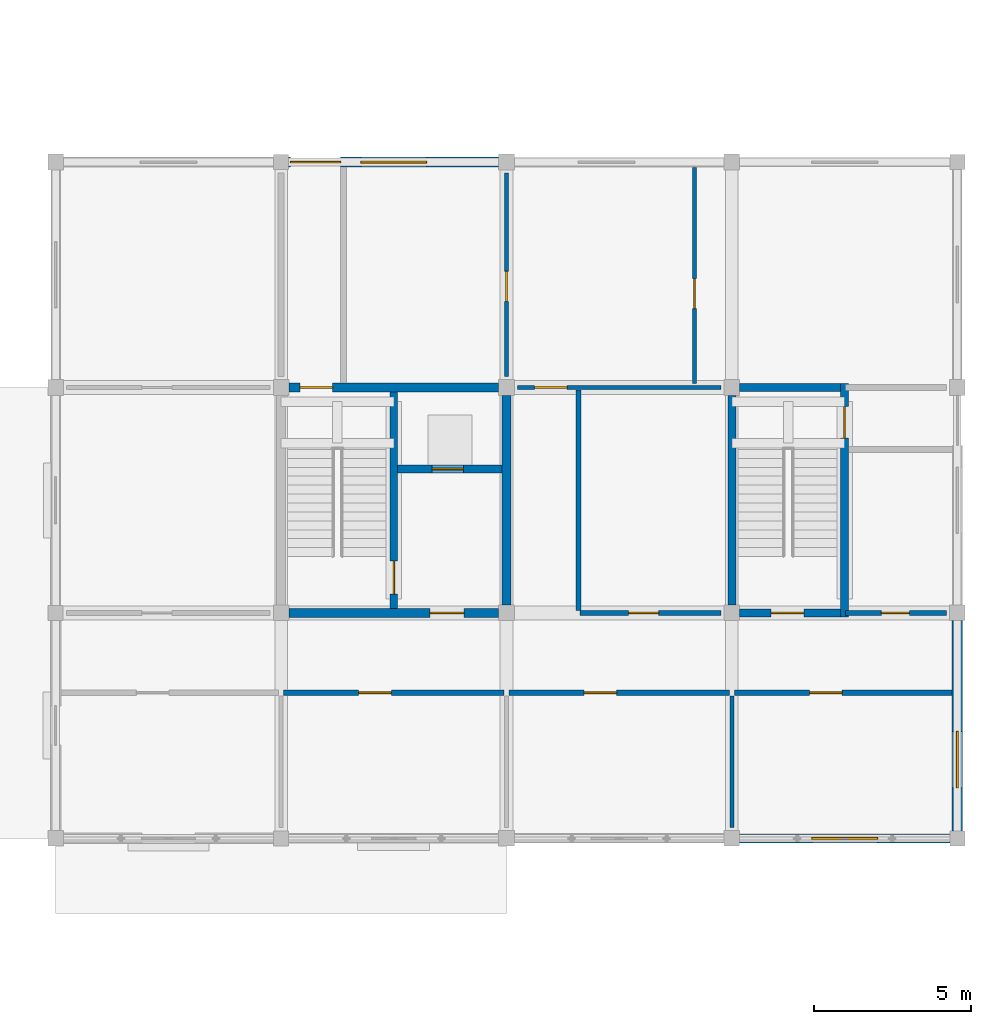
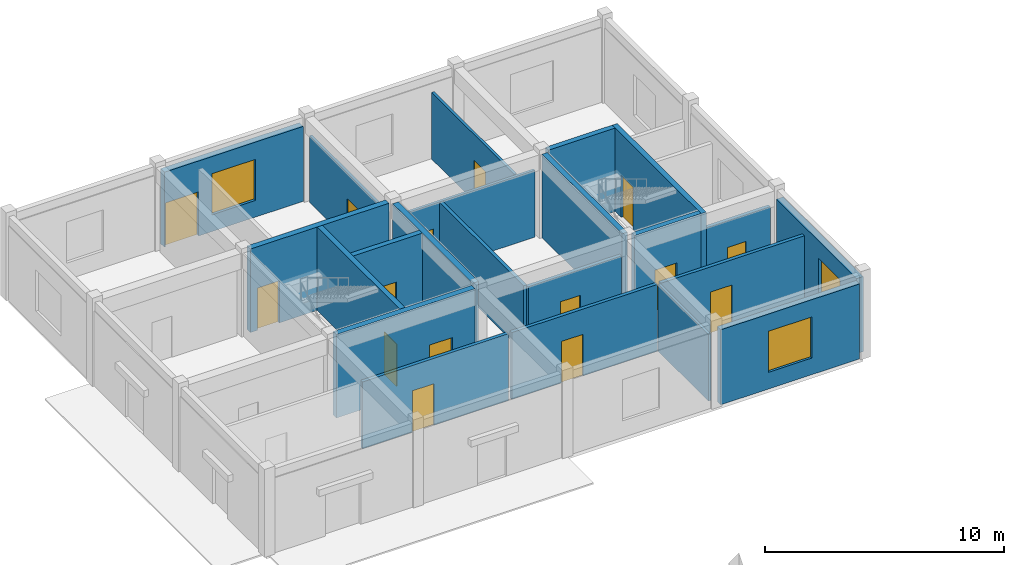
# One storey, part 103 of 138: 22 walls, 15 doors, 3 windows, 18 openings.
"""IFC4 building model written with IfcOpenShell, lengths in metres."""

from ifc_helpers import new_model, si_unit, direction, frame, frame_2d, origin, place, context, subcontext, project, spatial, rectangle, extrude, material, layer, layer_set, type_object, element, fill, save


model = new_model("IFC4")

# Units and contexts
model_context = context("Model", 3, precision=1e-05, world=origin(), true_north=direction((0.0, 1.0)))
body_context = subcontext(model_context, "Body", "Model", "MODEL_VIEW")
ifc_project = project(units=[si_unit("LENGTHUNIT", "METRE"), si_unit("AREAUNIT", "SQUARE_METRE"), si_unit("VOLUMEUNIT", "CUBIC_METRE"), si_unit("PLANEANGLEUNIT", "RADIAN"), si_unit("MASSUNIT", "GRAM", prefix="KILO"), si_unit("THERMODYNAMICTEMPERATUREUNIT", "KELVIN"), si_unit("POWERUNIT", "WATT")], contexts=[model_context])

# Site, building, storey
site_placement = place(None, origin())
site = spatial("IfcSite", under=ifc_project, at=site_placement, CompositionType="ELEMENT")
building_placement = place(site_placement, origin())
building = spatial("IfcBuilding", under=site, at=building_placement, Name="Tavuni Mirador Residences", CompositionType="ELEMENT")
storey_placement = place(building_placement, origin())
storey = spatial("IfcBuildingStorey", under=building, at=storey_placement, Name="L00", CompositionType="ELEMENT", Elevation=0.0)

# Wall, opening, door
ifc_material_1 = material(Name="Precast concrete C40/50", Category="concrete")
ifc_layer_1 = layer(ifc_material_1, 0.25, Name="Precast concrete C40/50", Category="concrete")
ifc_layer_set_1 = layer_set([ifc_layer_1], Name="Precast concrete C40/50")
wall_type_1 = type_object("IfcWallType", Name="WT-COR250", PredefinedType="SHEAR", material=ifc_layer_set_1)
wall_1_placement = place(storey_placement, frame((100.800048828125, 50.5400390625, 0.0), z_axis=(0.0, 0.0, 1.0), x_axis=(0.0, 1.0, 0.0)))
wall_1 = element("IfcWall", 1, at=wall_1_placement, inside=storey, type_object=wall_type_1, Name="CWALL-CN1-L00-MID", PredefinedType="SHEAR", context=body_context, shape_type="SweptSolid", body=[
    extrude(rectangle(XDim=6.919921875, YDim=0.25, at=frame_2d((3.4599609375, 0.0))), origin(), (0.0, 0.0, 1.0), 4.260009765625),
])
opening_1_placement = place(wall_1_placement, frame((0.4599609375, 0.0, 0.0)))
opening_1 = element("IfcOpeningElement", 2, at=opening_1_placement, cuts=wall_1, Name="Opening D-01", PredefinedType="OPENING", context=body_context, shape_type="SweptSolid", body=[
    extrude(rectangle(XDim=1.050048828125, YDim=2.14990234375, at=frame_2d((0.52490234375, 1.074951171875))), frame((0.0, 0.135009765625, 0.0), z_axis=(0.0, -1.0, 0.0), x_axis=(1.0, 0.0, 0.0)), (0.0, 0.0, 1.0), 0.27001953125),
])
ifc_material_2 = material(Name="Solid core iroko timber", Category="wood")
door_type_1 = type_object("IfcDoorType", Name="DT-ST1050", OperationType="NOTDEFINED", PredefinedType="DOOR", material=ifc_material_2)
door_1_placement = place(opening_1_placement, frame((1.050048828125, 0.0, 0.0), z_axis=(0.0, 0.0, 1.0), x_axis=(-1.0, 0.0, 0.0)))
door_1 = element("IfcDoor", 3, at=door_1_placement, inside=storey, type_object=door_type_1, Name="DR-2366", OperationType="SINGLE_SWING_RIGHT", OverallHeight=2.14990234375, OverallWidth=1.050048828125, PredefinedType="DOOR", context=body_context, shape_type="SweptSolid", body=[
    extrude(rectangle(XDim=1.050048828125, YDim=2.14990234375, at=frame_2d((0.52490234375, 1.074951171875))), frame((0.0, 0.02490234375, 0.0), z_axis=(0.0, -1.0, 0.0), x_axis=(1.0, 0.0, 0.0)), (0.0, 0.0, 1.0), 0.050048828125),
])
fill(opening_1, door_1)

wall_2_placement = place(storey_placement, frame((100.925048828125, 55.0, 0.0), z_axis=(0.0, 0.0, 1.0), x_axis=(1.0, 0.0, 0.0)))
wall_2 = element("IfcWall", 4, at=wall_2_placement, inside=storey, type_object=wall_type_1, Name="CWALL-CN1-L00-SHF", PredefinedType="SHEAR", context=body_context, shape_type="SweptSolid", body=[
    extrude(rectangle(XDim=3.3349609375, YDim=0.25, at=frame_2d((1.66748046875, 0.0))), origin(), (0.0, 0.0, 1.0), 4.260009765625),
])
opening_2_placement = place(wall_2_placement, frame((1.10009765625, 0.0, 0.0)))
opening_2 = element("IfcOpeningElement", 5, at=opening_2_placement, cuts=wall_2, Name="Opening LD-02", PredefinedType="OPENING", context=body_context, shape_type="SweptSolid", body=[
    extrude(rectangle(XDim=1.0, YDim=2.199951171875, at=frame_2d((0.5, 1.10009765625))), frame((0.0, 0.135009765625, 0.0), z_axis=(0.0, -1.0, 0.0), x_axis=(1.0, 0.0, 0.0)), (0.0, 0.0, 1.0), 0.27001953125),
])
ifc_material_3 = material(Name="Structural steel S355", Category="steel")
door_type_2 = type_object("IfcDoorType", Name="DT-LD-PAX", OperationType="SLIDING_TO_LEFT", PredefinedType="DOOR", material=ifc_material_3)
door_2_placement = place(opening_2_placement, origin())
door_2 = element("IfcDoor", 6, at=door_2_placement, inside=storey, type_object=door_type_2, Name="Lift landing door PL-N1 L00", OperationType="SLIDING_TO_LEFT", OverallHeight=2.199951171875, OverallWidth=1.0, PredefinedType="DOOR", context=body_context, shape_type="SweptSolid", body=[
    extrude(rectangle(XDim=1.0, YDim=2.199951171875, at=frame_2d((0.5, 1.10009765625))), frame((0.0, 0.02490234375, 0.0), z_axis=(0.0, -1.0, 0.0), x_axis=(1.0, 0.0, 0.0)), (0.0, 0.0, 1.0), 0.050048828125),
])
fill(opening_2, door_2)

# Wall
wall_3_placement = place(storey_placement, frame((111.60009765625, 50.64990234375, 0.0), z_axis=(0.0, 0.0, 1.0), x_axis=(0.0, 1.0, 0.0)))
element("IfcWall", 7, at=wall_3_placement, inside=storey, type_object=wall_type_1, Name="CWALL-CN2-L00-W", PredefinedType="SHEAR", context=body_context, shape_type="SweptSolid", body=[
    extrude(rectangle(XDim=6.7001953125, YDim=0.25, at=frame_2d((3.35009765625, 0.0))), origin(), (0.0, 0.0, 1.0), 4.260009765625),
])

# Wall, opening, door
wall_4_placement = place(storey_placement, frame((115.199951171875, 50.27490234375, 0.0), z_axis=(0.0, 0.0, 1.0), x_axis=(0.0, 1.0, 0.0)))
wall_4 = element("IfcWall", 8, at=wall_4_placement, inside=storey, type_object=wall_type_1, Name="CWALL-CN2-L00-E", PredefinedType="SHEAR", context=body_context, shape_type="SweptSolid", body=[
    extrude(rectangle(XDim=7.4501953125, YDim=0.25, at=frame_2d((3.72509765625, 0.0))), origin(), (0.0, 0.0, 1.0), 4.260009765625),
])
opening_3_placement = place(wall_4_placement, frame((5.7099609375, 0.0, 0.0)))
opening_3 = element("IfcOpeningElement", 9, at=opening_3_placement, cuts=wall_4, Name="Opening D-03", PredefinedType="OPENING", context=body_context, shape_type="SweptSolid", body=[
    extrude(rectangle(XDim=1.0, YDim=2.14990234375, at=frame_2d((0.5, 1.074951171875))), frame((0.0, 0.135009765625, 0.0), z_axis=(0.0, -1.0, 0.0), x_axis=(1.0, 0.0, 0.0)), (0.0, 0.0, 1.0), 0.27001953125),
])
door_type_3 = type_object("IfcDoorType", Name="DT-FD60-1000", OperationType="NOTDEFINED", PredefinedType="DOOR", material=ifc_material_2)
door_3_placement = place(opening_3_placement, frame((1.0, 0.0, 0.0), z_axis=(0.0, 0.0, 1.0), x_axis=(-1.0, 0.0, 0.0)))
door_3 = element("IfcDoor", 10, at=door_3_placement, inside=storey, type_object=door_type_3, Name="DR-4841", OperationType="SINGLE_SWING_LEFT", OverallHeight=2.14990234375, OverallWidth=1.0, PredefinedType="DOOR", context=body_context, shape_type="SweptSolid", body=[
    extrude(rectangle(XDim=1.0, YDim=2.14990234375, at=frame_2d((0.5, 1.074951171875))), frame((0.0, 0.02490234375, 0.0), z_axis=(0.0, -1.0, 0.0), x_axis=(1.0, 0.0, 0.0)), (0.0, 0.0, 1.0), 0.050048828125),
])
fill(opening_3, door_3)

# Wall
wall_5_placement = place(storey_placement, frame((111.85009765625, 57.60009765625, 0.0), z_axis=(0.0, 0.0, 1.0), x_axis=(1.0, 0.0, 0.0)))
element("IfcWall", 11, at=wall_5_placement, inside=storey, type_object=wall_type_1, Name="CWALL-CN2-L00-N", PredefinedType="SHEAR", context=body_context, shape_type="SweptSolid", body=[
    extrude(rectangle(XDim=3.224853515625, YDim=0.25, at=frame_2d((1.6123046875, 0.0))), origin(), (0.0, 0.0, 1.0), 4.260009765625),
])

# Wall, opening, door
wall_6_placement = place(storey_placement, frame((111.85009765625, 50.39990234375, 0.0), z_axis=(0.0, 0.0, 1.0), x_axis=(1.0, 0.0, 0.0)))
wall_6 = element("IfcWall", 12, at=wall_6_placement, inside=storey, type_object=wall_type_1, Name="CWALL-CN2-L00-SS", PredefinedType="SHEAR", context=body_context, shape_type="SweptSolid", body=[
    extrude(rectangle(XDim=3.224853515625, YDim=0.25, at=frame_2d((1.6123046875, 0.0))), origin(), (0.0, 0.0, 1.0), 4.260009765625),
])
opening_4_placement = place(wall_6_placement, frame((1.0, 0.0, 0.0)))
opening_4 = element("IfcOpeningElement", 13, at=opening_4_placement, cuts=wall_6, Name="Opening D-01", PredefinedType="OPENING", context=body_context, shape_type="SweptSolid", body=[
    extrude(rectangle(XDim=1.050048828125, YDim=2.14990234375, at=frame_2d((0.52490234375, 1.074951171875))), frame((0.0, 0.135009765625, 0.0), z_axis=(0.0, -1.0, 0.0), x_axis=(1.0, 0.0, 0.0)), (0.0, 0.0, 1.0), 0.27001953125),
])
door_4_placement = place(opening_4_placement, frame((1.050048828125, 0.0, 0.0), z_axis=(0.0, 0.0, 1.0), x_axis=(-1.0, 0.0, 0.0)))
door_4 = element("IfcDoor", 14, at=door_4_placement, inside=storey, type_object=door_type_1, Name="DR-2371", OperationType="SINGLE_SWING_RIGHT", OverallHeight=2.14990234375, OverallWidth=1.050048828125, PredefinedType="DOOR", context=body_context, shape_type="SweptSolid", body=[
    extrude(rectangle(XDim=1.050048828125, YDim=2.14990234375, at=frame_2d((0.52490234375, 1.074951171875))), frame((0.0, 0.02490234375, 0.0), z_axis=(0.0, -1.0, 0.0), x_axis=(1.0, 0.0, 0.0)), (0.0, 0.0, 1.0), 0.050048828125),
])
fill(opening_4, door_4)

ifc_layer_2 = layer(ifc_material_1, 0.280029296875, Name="Precast concrete C40/50", Category="concrete")
ifc_layer_set_2 = layer_set([ifc_layer_2], Name="Precast concrete C40/50")
wall_type_2 = type_object("IfcWallType", Name="WT-COR280", PredefinedType="SHEAR", material=ifc_layer_set_2)
wall_7_placement = place(storey_placement, frame((97.449951171875, 57.60009765625, 0.0), z_axis=(0.0, 0.0, 1.0), x_axis=(1.0, 0.0, 0.0)))
wall_7 = element("IfcWall", 15, at=wall_7_placement, inside=storey, type_object=wall_type_2, Name="CWALL-CN1-L00-N", PredefinedType="SHEAR", context=body_context, shape_type="SweptSolid", body=[
    extrude(rectangle(XDim=6.699951171875, YDim=0.280029296875, at=frame_2d((3.35009765625, 0.0))), origin(), (0.0, 0.0, 1.0), 4.260009765625),
])
opening_5_placement = place(wall_7_placement, frame((0.35009765625, 0.0, 0.0)))
opening_5 = element("IfcOpeningElement", 16, at=opening_5_placement, cuts=wall_7, Name="Opening D-01", PredefinedType="OPENING", context=body_context, shape_type="SweptSolid", body=[
    extrude(rectangle(XDim=1.050048828125, YDim=2.14990234375, at=frame_2d((0.52490234375, 1.074951171875))), frame((0.0, 0.14990234375, 0.0), z_axis=(0.0, -1.0, 0.0), x_axis=(1.0, 0.0, 0.0)), (0.0, 0.0, 1.0), 0.300048828125),
])
door_5_placement = place(opening_5_placement, origin())
door_5 = element("IfcDoor", 17, at=door_5_placement, inside=storey, type_object=door_type_1, Name="DR-4840", OperationType="SINGLE_SWING_LEFT", OverallHeight=2.14990234375, OverallWidth=1.050048828125, PredefinedType="DOOR", context=body_context, shape_type="SweptSolid", body=[
    extrude(rectangle(XDim=1.050048828125, YDim=2.14990234375, at=frame_2d((0.52490234375, 1.074951171875))), frame((0.0, 0.02490234375, 0.0), z_axis=(0.0, -1.0, 0.0), x_axis=(1.0, 0.0, 0.0)), (0.0, 0.0, 1.0), 0.050048828125),
])
fill(opening_5, door_5)

# Wall
wall_8_placement = place(storey_placement, frame((104.39990234375, 50.64990234375, 0.0), z_axis=(0.0, 0.0, 1.0), x_axis=(0.0, 1.0, 0.0)))
element("IfcWall", 18, at=wall_8_placement, inside=storey, type_object=wall_type_2, Name="CWALL-CN1-L00-E", PredefinedType="SHEAR", context=body_context, shape_type="SweptSolid", body=[
    extrude(rectangle(XDim=6.7001953125, YDim=0.280029296875, at=frame_2d((3.35009765625, 0.0))), origin(), (0.0, 0.0, 1.0), 4.260009765625),
])

# Wall, opening, door
wall_9_placement = place(storey_placement, frame((97.449951171875, 50.39990234375, 0.0), z_axis=(0.0, 0.0, 1.0), x_axis=(1.0, 0.0, 0.0)))
wall_9 = element("IfcWall", 19, at=wall_9_placement, inside=storey, type_object=wall_type_2, Name="CWALL-CN1-L00-SS", PredefinedType="SHEAR", context=body_context, shape_type="SweptSolid", body=[
    extrude(rectangle(XDim=6.699951171875, YDim=0.280029296875, at=frame_2d((3.35009765625, 0.0))), origin(), (0.0, 0.0, 1.0), 4.260009765625),
])
opening_6_placement = place(wall_9_placement, frame((4.5, 0.0, 0.0)))
opening_6 = element("IfcOpeningElement", 20, at=opening_6_placement, cuts=wall_9, Name="Opening D-02", PredefinedType="OPENING", context=body_context, shape_type="SweptSolid", body=[
    extrude(rectangle(XDim=1.10009765625, YDim=2.14990234375, at=frame_2d((0.550048828125, 1.074951171875))), frame((0.0, 0.14990234375, 0.0), z_axis=(0.0, -1.0, 0.0), x_axis=(1.0, 0.0, 0.0)), (0.0, 0.0, 1.0), 0.300048828125),
])
door_type_4 = type_object("IfcDoorType", Name="DT-LOB1100", OperationType="NOTDEFINED", PredefinedType="DOOR", material=ifc_material_2)
door_6_placement = place(opening_6_placement, frame((1.10009765625, 0.0, 0.0), z_axis=(0.0, 0.0, 1.0), x_axis=(-1.0, 0.0, 0.0)))
door_6 = element("IfcDoor", 21, at=door_6_placement, inside=storey, type_object=door_type_4, Name="DR-2365", OperationType="SINGLE_SWING_LEFT", OverallHeight=2.14990234375, OverallWidth=1.10009765625, PredefinedType="DOOR", context=body_context, shape_type="SweptSolid", body=[
    extrude(rectangle(XDim=1.10009765625, YDim=2.14990234375, at=frame_2d((0.550048828125, 1.074951171875))), frame((0.0, 0.02490234375, 0.0), z_axis=(0.0, -1.0, 0.0), x_axis=(1.0, 0.0, 0.0)), (0.0, 0.0, 1.0), 0.050048828125),
])
fill(opening_6, door_6)

ifc_layer_3 = layer(ifc_material_1, 0.1650390625, Name="Precast concrete C40/50", Category="concrete")
ifc_layer_set_3 = layer_set([ifc_layer_3], Name="Precast concrete C40/50")
wall_type_3 = type_object("IfcWallType", Name="WT-CORR165", PredefinedType="PARTITIONING", material=ifc_layer_set_3)
wall_10_placement = place(storey_placement, frame((97.280029296875, 47.85009765625, 0.0), z_axis=(0.0, 0.0, 1.0), x_axis=(1.0, 0.0, 0.0)))
wall_10 = element("IfcWall", 22, at=wall_10_placement, inside=storey, type_object=wall_type_3, Name="PW-NURS-L00-CS2", PredefinedType="PARTITIONING", context=body_context, shape_type="SweptSolid", body=[
    extrude(rectangle(XDim=7.0400390625, YDim=0.1650390625, at=frame_2d((3.52001953125, 0.0))), origin(), (0.0, 0.0, 1.0), 3.409912109375),
])
opening_7_placement = place(wall_10_placement, frame((2.39990234375, 0.0, 0.0)))
opening_7 = element("IfcOpeningElement", 23, at=opening_7_placement, cuts=wall_10, Name="Opening D-15", PredefinedType="OPENING", context=body_context, shape_type="SweptSolid", body=[
    extrude(rectangle(XDim=1.0400390625, YDim=2.1201171875, at=frame_2d((0.52001953125, 1.06005859375))), frame((0.0, 0.092529296875, 0.0), z_axis=(0.0, -1.0, 0.0), x_axis=(1.0, 0.0, 0.0)), (0.0, 0.0, 1.0), 0.18505859375),
])
door_type_5 = type_object("IfcDoorType", Name="DT-NUR1040", OperationType="NOTDEFINED", PredefinedType="DOOR", material=ifc_material_2)
door_7_placement = place(opening_7_placement, origin())
door_7 = element("IfcDoor", 24, at=door_7_placement, inside=storey, type_object=door_type_5, Name="DR-4793", OperationType="SINGLE_SWING_RIGHT", OverallHeight=2.1201171875, OverallWidth=1.0400390625, PredefinedType="DOOR", context=body_context, shape_type="SweptSolid", body=[
    extrude(rectangle(XDim=1.0400390625, YDim=2.1201171875, at=frame_2d((0.52001953125, 1.06005859375))), frame((0.0, 0.02490234375, 0.0), z_axis=(0.0, -1.0, 0.0), x_axis=(1.0, 0.0, 0.0)), (0.0, 0.0, 1.0), 0.050048828125),
])
fill(opening_7, door_7)

wall_11_placement = place(storey_placement, frame((104.47998046875, 47.85009765625, 0.0), z_axis=(0.0, 0.0, 1.0), x_axis=(1.0, 0.0, 0.0)))
wall_11 = element("IfcWall", 25, at=wall_11_placement, inside=storey, type_object=wall_type_3, Name="PW-NURS-L00-CS3", PredefinedType="PARTITIONING", context=body_context, shape_type="SweptSolid", body=[
    extrude(rectangle(XDim=7.0400390625, YDim=0.1650390625, at=frame_2d((3.52001953125, 0.0))), origin(), (0.0, 0.0, 1.0), 3.409912109375),
])
opening_8_placement = place(wall_11_placement, frame((2.39990234375, 0.0, 0.0)))
opening_8 = element("IfcOpeningElement", 26, at=opening_8_placement, cuts=wall_11, Name="Opening D-15", PredefinedType="OPENING", context=body_context, shape_type="SweptSolid", body=[
    extrude(rectangle(XDim=1.0400390625, YDim=2.1201171875, at=frame_2d((0.52001953125, 1.06005859375))), frame((0.0, 0.092529296875, 0.0), z_axis=(0.0, -1.0, 0.0), x_axis=(1.0, 0.0, 0.0)), (0.0, 0.0, 1.0), 0.18505859375),
])
door_8_placement = place(opening_8_placement, origin())
door_8 = element("IfcDoor", 27, at=door_8_placement, inside=storey, type_object=door_type_5, Name="DR-4794", OperationType="SINGLE_SWING_LEFT", OverallHeight=2.1201171875, OverallWidth=1.0400390625, PredefinedType="DOOR", context=body_context, shape_type="SweptSolid", body=[
    extrude(rectangle(XDim=1.0400390625, YDim=2.1201171875, at=frame_2d((0.52001953125, 1.06005859375))), frame((0.0, 0.02490234375, 0.0), z_axis=(0.0, -1.0, 0.0), x_axis=(1.0, 0.0, 0.0)), (0.0, 0.0, 1.0), 0.050048828125),
])
fill(opening_8, door_8)

wall_12_placement = place(storey_placement, frame((111.679931640625, 47.85009765625, 0.0), z_axis=(0.0, 0.0, 1.0), x_axis=(1.0, 0.0, 0.0)))
wall_12 = element("IfcWall", 28, at=wall_12_placement, inside=storey, type_object=wall_type_3, Name="PW-NURS-L00-CS4", PredefinedType="PARTITIONING", context=body_context, shape_type="SweptSolid", body=[
    extrude(rectangle(XDim=6.945068359375, YDim=0.1650390625, at=frame_2d((3.47265625, 0.0))), origin(), (0.0, 0.0, 1.0), 3.409912109375),
])
opening_9_placement = place(wall_12_placement, frame((2.39990234375, 0.0, 0.0)))
opening_9 = element("IfcOpeningElement", 29, at=opening_9_placement, cuts=wall_12, Name="Opening D-15", PredefinedType="OPENING", context=body_context, shape_type="SweptSolid", body=[
    extrude(rectangle(XDim=1.0400390625, YDim=2.1201171875, at=frame_2d((0.52001953125, 1.06005859375))), frame((0.0, 0.092529296875, 0.0), z_axis=(0.0, -1.0, 0.0), x_axis=(1.0, 0.0, 0.0)), (0.0, 0.0, 1.0), 0.18505859375),
])
door_9_placement = place(opening_9_placement, origin())
door_9 = element("IfcDoor", 30, at=door_9_placement, inside=storey, type_object=door_type_5, Name="DR-4795", OperationType="SINGLE_SWING_RIGHT", OverallHeight=2.1201171875, OverallWidth=1.0400390625, PredefinedType="DOOR", context=body_context, shape_type="SweptSolid", body=[
    extrude(rectangle(XDim=1.0400390625, YDim=2.1201171875, at=frame_2d((0.52001953125, 1.06005859375))), frame((0.0, 0.02490234375, 0.0), z_axis=(0.0, -1.0, 0.0), x_axis=(1.0, 0.0, 0.0)), (0.0, 0.0, 1.0), 0.050048828125),
])
fill(opening_9, door_9)

wall_13_placement = place(storey_placement, frame((106.75, 50.39990234375, 0.0), z_axis=(0.0, 0.0, 1.0), x_axis=(1.0, 0.0, 0.0)))
wall_13 = element("IfcWall", 31, at=wall_13_placement, inside=storey, type_object=wall_type_3, Name="PW-NURS-L00-CN2", PredefinedType="PARTITIONING", context=body_context, shape_type="SweptSolid", body=[
    extrude(rectangle(XDim=4.5, YDim=0.1650390625, at=frame_2d((2.25, 0.0))), origin(), (0.0, 0.0, 1.0), 3.409912109375),
])
opening_10_placement = place(wall_13_placement, frame((1.550048828125, 0.0, 0.0)))
opening_10 = element("IfcOpeningElement", 32, at=opening_10_placement, cuts=wall_13, Name="Opening D-16", PredefinedType="OPENING", context=body_context, shape_type="SweptSolid", body=[
    extrude(rectangle(XDim=0.9599609375, YDim=2.10009765625, at=frame_2d((0.47998046875, 1.050048828125))), frame((0.0, 0.092529296875, 0.0), z_axis=(0.0, -1.0, 0.0), x_axis=(1.0, 0.0, 0.0)), (0.0, 0.0, 1.0), 0.18505859375),
])
door_type_6 = type_object("IfcDoorType", Name="DT-NUR960", OperationType="NOTDEFINED", PredefinedType="DOOR", material=ifc_material_2)
door_10_placement = place(opening_10_placement, origin())
door_10 = element("IfcDoor", 33, at=door_10_placement, inside=storey, type_object=door_type_6, Name="DR-4797", OperationType="SINGLE_SWING_RIGHT", OverallHeight=2.10009765625, OverallWidth=0.9599609375, PredefinedType="DOOR", context=body_context, shape_type="SweptSolid", body=[
    extrude(rectangle(XDim=0.9599609375, YDim=2.10009765625, at=frame_2d((0.47998046875, 1.050048828125))), frame((0.0, 0.02490234375, 0.0), z_axis=(0.0, -1.0, 0.0), x_axis=(1.0, 0.0, 0.0)), (0.0, 0.0, 1.0), 0.050048828125),
])
fill(opening_10, door_10)

wall_14_placement = place(storey_placement, frame((115.219970703125, 50.39990234375, 0.0), z_axis=(0.0, 0.0, 1.0), x_axis=(1.0, 0.0, 0.0)))
wall_14 = element("IfcWall", 34, at=wall_14_placement, inside=storey, type_object=wall_type_3, Name="PW-NURS-L00-CN3", PredefinedType="PARTITIONING", context=body_context, shape_type="SweptSolid", body=[
    extrude(rectangle(XDim=3.22998046875, YDim=0.1650390625, at=frame_2d((1.614990234375, 0.0))), origin(), (0.0, 0.0, 1.0), 3.409912109375),
])
opening_11_placement = place(wall_14_placement, frame((1.14990234375, 0.0, 0.0)))
opening_11 = element("IfcOpeningElement", 35, at=opening_11_placement, cuts=wall_14, Name="Opening D-09", PredefinedType="OPENING", context=body_context, shape_type="SweptSolid", body=[
    extrude(rectangle(XDim=0.89990234375, YDim=2.050048828125, at=frame_2d((0.449951171875, 1.02490234375))), frame((0.0, 0.092529296875, 0.0), z_axis=(0.0, -1.0, 0.0), x_axis=(1.0, 0.0, 0.0)), (0.0, 0.0, 1.0), 0.18505859375),
])
door_type_7 = type_object("IfcDoorType", Name="DT-WC900", OperationType="NOTDEFINED", PredefinedType="DOOR", material=ifc_material_2)
door_11_placement = place(opening_11_placement, origin())
door_11 = element("IfcDoor", 36, at=door_11_placement, inside=storey, type_object=door_type_7, Name="DR-4798", OperationType="SINGLE_SWING_LEFT", OverallHeight=2.050048828125, OverallWidth=0.89990234375, PredefinedType="DOOR", context=body_context, shape_type="SweptSolid", body=[
    extrude(rectangle(XDim=0.89990234375, YDim=2.050048828125, at=frame_2d((0.449951171875, 1.02490234375))), frame((0.0, 0.02490234375, 0.0), z_axis=(0.0, -1.0, 0.0), x_axis=(1.0, 0.0, 0.0)), (0.0, 0.0, 1.0), 0.050048828125),
])
fill(opening_11, door_11)

# Wall
wall_15_placement = place(storey_placement, frame((106.699951171875, 50.47998046875, 0.0), z_axis=(0.0, 0.0, 1.0), x_axis=(0.0, 1.0, 0.0)))
element("IfcWall", 37, at=wall_15_placement, inside=storey, type_object=wall_type_3, Name="PW-NURS-L00-NCW", PredefinedType="PARTITIONING", context=body_context, shape_type="SweptSolid", body=[
    extrude(rectangle(XDim=7.0400390625, YDim=0.1650390625, at=frame_2d((3.52001953125, 0.0))), origin(), (0.0, 0.0, 1.0), 3.409912109375),
])

# Wall, opening, window
ifc_layer_4 = layer(ifc_material_1, 0.330078125, Name="Precast concrete C40/50", Category="concrete")
ifc_layer_set_4 = layer_set([ifc_layer_4], Name="Precast concrete C40/50")
wall_type_4 = type_object("IfcWallType", Name="WT-EXT-COR330", PredefinedType="SOLIDWALL", material=ifc_layer_set_4)
wall_16_placement = place(storey_placement, frame((118.800048828125, 43.43994140625, 0.0), z_axis=(0.0, 0.0, 1.0), x_axis=(0.0, 1.0, 0.0)))
wall_16 = element("IfcWall", 38, at=wall_16_placement, inside=storey, type_object=wall_type_4, Name="EW-PAV-NURS-L00-E00", PredefinedType="SOLIDWALL", context=body_context, shape_type="SweptSolid", body=[
    extrude(rectangle(XDim=6.7099609375, YDim=0.330078125, at=frame_2d((3.35498046875, 0.0))), origin(), (0.0, 0.0, 1.0), 3.830078125),
])
opening_12_placement = place(wall_16_placement, frame((1.375, 0.0, 0.85009765625)))
opening_12 = element("IfcOpeningElement", 39, at=opening_12_placement, cuts=wall_16, Name="Opening WN-31", PredefinedType="OPENING", context=body_context, shape_type="SweptSolid", body=[
    extrude(rectangle(XDim=1.800048828125, YDim=2.10009765625, at=frame_2d((0.89990234375, 1.050048828125))), frame((0.0, 0.175048828125, 0.0), z_axis=(0.0, -1.0, 0.0), x_axis=(1.0, 0.0, 0.0)), (0.0, 0.0, 1.0), 0.35009765625),
])
ifc_material_4 = material(Name="Laminated solar-control glass", Category="glass")
window_type_1 = type_object("IfcWindowType", Name="WNT-31", PartitioningType="SINGLE_PANEL", PredefinedType="WINDOW", material=ifc_material_4)
window_1_placement = place(opening_12_placement, origin())
window_1 = element("IfcWindow", 40, at=window_1_placement, inside=storey, type_object=window_type_1, Name="WIN-1842", OverallHeight=2.10009765625, OverallWidth=1.800048828125, PartitioningType="SINGLE_PANEL", PredefinedType="WINDOW", context=body_context, shape_type="SweptSolid", body=[
    extrude(rectangle(XDim=1.800048828125, YDim=2.10009765625, at=frame_2d((0.89990234375, 1.050048828125))), frame((0.0, 0.030029296875, 0.0), z_axis=(0.0, -1.0, 0.0), x_axis=(1.0, 0.0, 0.0)), (0.0, 0.0, 1.0), 0.06005859375),
])
fill(opening_12, window_1)

ifc_material_5 = material(Name="Sgraffito lime-rendered precast concrete C40/50", Category="concrete")
ifc_layer_5 = layer(ifc_material_5, 0.2900390625, Name="Sgraffito lime-rendered precast concrete C40/50", Category="concrete")
ifc_layer_set_5 = layer_set([ifc_layer_5], Name="Sgraffito lime-rendered precast concrete C40/50")
wall_type_5 = type_object("IfcWallType", Name="WT-EXT-PC290", PredefinedType="SOLIDWALL", material=ifc_layer_set_5)
wall_17_placement = place(storey_placement, frame((111.85009765625, 43.199951171875, 0.0), z_axis=(0.0, 0.0, 1.0), x_axis=(1.0, 0.0, 0.0)))
wall_17 = element("IfcWall", 41, at=wall_17_placement, inside=storey, type_object=wall_type_5, Name="EW-PAV-NURS-L00-S03", PredefinedType="SOLIDWALL", context=body_context, shape_type="SweptSolid", body=[
    extrude(rectangle(XDim=6.7099609375, YDim=0.2900390625, at=frame_2d((3.35498046875, 0.0))), origin(), (0.0, 0.0, 1.0), 3.830078125),
])
opening_13_placement = place(wall_17_placement, frame((2.304931640625, 0.0, 0.85009765625)))
opening_13 = element("IfcOpeningElement", 42, at=opening_13_placement, cuts=wall_17, Name="Opening WN-32", PredefinedType="OPENING", context=body_context, shape_type="SweptSolid", body=[
    extrude(rectangle(XDim=2.10009765625, YDim=2.10009765625, at=frame_2d((1.050048828125, 1.050048828125))), frame((0.0, 0.155029296875, 0.0), z_axis=(0.0, -1.0, 0.0), x_axis=(1.0, 0.0, 0.0)), (0.0, 0.0, 1.0), 0.31005859375),
])
window_type_2 = type_object("IfcWindowType", Name="WNT-32", PartitioningType="SINGLE_PANEL", PredefinedType="WINDOW", material=ifc_material_4)
window_2_placement = place(opening_13_placement, origin())
window_2 = element("IfcWindow", 43, at=window_2_placement, inside=storey, type_object=window_type_2, Name="WIN-1841", OverallHeight=2.10009765625, OverallWidth=2.10009765625, PartitioningType="SINGLE_PANEL", PredefinedType="WINDOW", context=body_context, shape_type="SweptSolid", body=[
    extrude(rectangle(XDim=2.10009765625, YDim=2.10009765625, at=frame_2d((1.050048828125, 1.050048828125))), frame((0.0, 0.030029296875, 0.0), z_axis=(0.0, -1.0, 0.0), x_axis=(1.0, 0.0, 0.0)), (0.0, 0.0, 1.0), 0.06005859375),
])
fill(opening_13, window_2)

# Wall, openings, door, window
ifc_layer_6 = layer(ifc_material_5, 0.31494140625, Name="Sgraffito lime-rendered precast concrete C40/50", Category="concrete")
ifc_layer_set_6 = layer_set([ifc_layer_6], Name="Sgraffito lime-rendered precast concrete C40/50")
wall_type_6 = type_object("IfcWallType", Name="WT-EXT-PC315", PredefinedType="SOLIDWALL", material=ifc_layer_set_6)
wall_18_placement = place(storey_placement, frame((104.14990234375, 64.800048828125, 0.0), z_axis=(0.0, 0.0, 1.0), x_axis=(-1.0, 0.0, 0.0)))
wall_18 = element("IfcWall", 44, at=wall_18_placement, inside=storey, type_object=wall_type_6, Name="EW-PAV-NURS-L00-N01", PredefinedType="SOLIDWALL", context=body_context, shape_type="SweptSolid", body=[
    extrude(rectangle(XDim=6.7099609375, YDim=0.31494140625, at=frame_2d((3.35498046875, 0.0))), origin(), (0.0, 0.0, 1.0), 3.830078125),
])
opening_14_placement = place(wall_18_placement, frame((2.304931640625, 0.0, 0.85009765625)))
opening_14 = element("IfcOpeningElement", 45, at=opening_14_placement, cuts=wall_18, Name="Opening WN-32", PredefinedType="OPENING", context=body_context, shape_type="SweptSolid", body=[
    extrude(rectangle(XDim=2.10009765625, YDim=2.10009765625, at=frame_2d((1.050048828125, 1.050048828125))), frame((0.0, 0.16748046875, 0.0), z_axis=(0.0, -1.0, 0.0), x_axis=(1.0, 0.0, 0.0)), (0.0, 0.0, 1.0), 0.3349609375),
])
opening_15_placement = place(wall_18_placement, frame((5.050048828125, 0.0, 0.0)))
opening_15 = element("IfcOpeningElement", 46, at=opening_15_placement, cuts=wall_18, Name="Opening EN-01", PredefinedType="OPENING", context=body_context, shape_type="SweptSolid", body=[
    extrude(rectangle(XDim=1.60009765625, YDim=2.25, at=frame_2d((0.800048828125, 1.125))), frame((0.0, 0.16748046875, 0.0), z_axis=(0.0, -1.0, 0.0), x_axis=(1.0, 0.0, 0.0)), (0.0, 0.0, 1.0), 0.3349609375),
])
ifc_material_6 = material(Name="Anodised aluminium", Category="aluminium")
door_type_8 = type_object("IfcDoorType", Name="DT-ENT1600", OperationType="DOUBLE_DOOR_SINGLE_SWING", PredefinedType="DOOR", material=ifc_material_6)
door_12_placement = place(opening_15_placement, frame((1.60009765625, 0.0, 0.0), z_axis=(0.0, 0.0, 1.0), x_axis=(-1.0, 0.0, 0.0)))
door_12 = element("IfcDoor", 47, at=door_12_placement, inside=storey, type_object=door_type_8, Name="Final exit door EX-040", OperationType="DOUBLE_DOOR_SINGLE_SWING", OverallHeight=2.25, OverallWidth=1.60009765625, PredefinedType="DOOR", context=body_context, shape_type="SweptSolid", body=[
    extrude(rectangle(XDim=1.60009765625, YDim=2.25, at=frame_2d((0.800048828125, 1.125))), frame((0.0, 0.02490234375, 0.0), z_axis=(0.0, -1.0, 0.0), x_axis=(1.0, 0.0, 0.0)), (0.0, 0.0, 1.0), 0.050048828125),
])
fill(opening_15, door_12)
window_3_placement = place(opening_14_placement, origin())
window_3 = element("IfcWindow", 48, at=window_3_placement, inside=storey, type_object=window_type_2, Name="WIN-1847", OverallHeight=2.10009765625, OverallWidth=2.10009765625, PartitioningType="SINGLE_PANEL", PredefinedType="WINDOW", context=body_context, shape_type="SweptSolid", body=[
    extrude(rectangle(XDim=2.10009765625, YDim=2.10009765625, at=frame_2d((1.050048828125, 1.050048828125))), frame((0.0, 0.030029296875, 0.0), z_axis=(0.0, -1.0, 0.0), x_axis=(1.0, 0.0, 0.0)), (0.0, 0.0, 1.0), 0.06005859375),
])
fill(opening_14, window_3)

# Wall
ifc_material_7 = material(Name="Acoustic gypsum and concrete block partition", Category="concrete")
ifc_layer_7 = layer(ifc_material_7, 0.125, Name="Acoustic gypsum and concrete block partition", Category="concrete")
ifc_layer_set_7 = layer_set([ifc_layer_7], Name="Acoustic gypsum and concrete block partition")
wall_type_7 = type_object("IfcWallType", Name="WT-PART125", PredefinedType="PARTITIONING", material=ifc_layer_set_7)
wall_19_placement = place(storey_placement, frame((111.60009765625, 43.550048828125, 0.0), z_axis=(0.0, 0.0, 1.0), x_axis=(0.0, 1.0, 0.0)))
element("IfcWall", 49, at=wall_19_placement, inside=storey, type_object=wall_type_7, Name="PW-NURS-L00-V3", PredefinedType="PARTITIONING", context=body_context, shape_type="SweptSolid", body=[
    extrude(rectangle(XDim=4.199951171875, YDim=0.125, at=frame_2d((2.10009765625, 0.0))), origin(), (0.0, 0.0, 1.0), 3.409912109375),
])

# Wall, opening, door
wall_20_placement = place(storey_placement, frame((104.75, 57.60009765625, 0.0), z_axis=(0.0, 0.0, 1.0), x_axis=(1.0, 0.0, 0.0)))
wall_20 = element("IfcWall", 50, at=wall_20_placement, inside=storey, type_object=wall_type_7, Name="PW-NURS-L00-N2", PredefinedType="PARTITIONING", context=body_context, shape_type="SweptSolid", body=[
    extrude(rectangle(XDim=6.5, YDim=0.125, at=frame_2d((3.25, 0.0))), origin(), (0.0, 0.0, 1.0), 3.409912109375),
])
opening_16_placement = place(wall_20_placement, frame((0.550048828125, 0.0, 0.0)))
opening_16 = element("IfcOpeningElement", 51, at=opening_16_placement, cuts=wall_20, Name="Opening D-15", PredefinedType="OPENING", context=body_context, shape_type="SweptSolid", body=[
    extrude(rectangle(XDim=1.0400390625, YDim=2.1201171875, at=frame_2d((0.52001953125, 1.06005859375))), frame((0.0, 0.072509765625, 0.0), z_axis=(0.0, -1.0, 0.0), x_axis=(1.0, 0.0, 0.0)), (0.0, 0.0, 1.0), 0.14501953125),
])
door_13_placement = place(opening_16_placement, origin())
door_13 = element("IfcDoor", 52, at=door_13_placement, inside=storey, type_object=door_type_5, Name="DR-4800", OperationType="SINGLE_SWING_LEFT", OverallHeight=2.1201171875, OverallWidth=1.0400390625, PredefinedType="DOOR", context=body_context, shape_type="SweptSolid", body=[
    extrude(rectangle(XDim=1.0400390625, YDim=2.1201171875, at=frame_2d((0.52001953125, 1.06005859375))), frame((0.0, 0.02490234375, 0.0), z_axis=(0.0, -1.0, 0.0), x_axis=(1.0, 0.0, 0.0)), (0.0, 0.0, 1.0), 0.050048828125),
])
fill(opening_16, door_13)

wall_21_placement = place(storey_placement, frame((104.39990234375, 57.949951171875, 0.0), z_axis=(0.0, 0.0, 1.0), x_axis=(0.0, 1.0, 0.0)))
wall_21 = element("IfcWall", 53, at=wall_21_placement, inside=storey, type_object=wall_type_7, Name="PW-NURS-L00-NV2", PredefinedType="PARTITIONING", context=body_context, shape_type="SweptSolid", body=[
    extrude(rectangle(XDim=6.5, YDim=0.125, at=frame_2d((3.25, 0.0))), origin(), (0.0, 0.0, 1.0), 3.409912109375),
])
opening_17_placement = place(wall_21_placement, frame((2.39990234375, 0.0, 0.0)))
opening_17 = element("IfcOpeningElement", 54, at=opening_17_placement, cuts=wall_21, Name="Opening D-16", PredefinedType="OPENING", context=body_context, shape_type="SweptSolid", body=[
    extrude(rectangle(XDim=0.9599609375, YDim=2.10009765625, at=frame_2d((0.47998046875, 1.050048828125))), frame((0.0, 0.072509765625, 0.0), z_axis=(0.0, -1.0, 0.0), x_axis=(1.0, 0.0, 0.0)), (0.0, 0.0, 1.0), 0.14501953125),
])
door_14_placement = place(opening_17_placement, origin())
door_14 = element("IfcDoor", 55, at=door_14_placement, inside=storey, type_object=door_type_6, Name="DR-4801", OperationType="SINGLE_SWING_RIGHT", OverallHeight=2.10009765625, OverallWidth=0.9599609375, PredefinedType="DOOR", context=body_context, shape_type="SweptSolid", body=[
    extrude(rectangle(XDim=0.9599609375, YDim=2.10009765625, at=frame_2d((0.47998046875, 1.050048828125))), frame((0.0, 0.02490234375, 0.0), z_axis=(0.0, -1.0, 0.0), x_axis=(1.0, 0.0, 0.0)), (0.0, 0.0, 1.0), 0.050048828125),
])
fill(opening_17, door_14)

wall_22_placement = place(storey_placement, frame((110.39990234375, 57.719970703125, 0.0), z_axis=(0.0, 0.0, 1.0), x_axis=(0.0, 1.0, 0.0)))
wall_22 = element("IfcWall", 56, at=wall_22_placement, inside=storey, type_object=wall_type_7, Name="PW-NURS-L00-NV3", PredefinedType="PARTITIONING", context=body_context, shape_type="SweptSolid", body=[
    extrude(rectangle(XDim=6.905029296875, YDim=0.125, at=frame_2d((3.45263671875, 0.0))), origin(), (0.0, 0.0, 1.0), 3.409912109375),
])
opening_18_placement = place(wall_22_placement, frame((2.39990234375, 0.0, 0.0)))
opening_18 = element("IfcOpeningElement", 57, at=opening_18_placement, cuts=wall_22, Name="Opening D-16", PredefinedType="OPENING", context=body_context, shape_type="SweptSolid", body=[
    extrude(rectangle(XDim=0.9599609375, YDim=2.10009765625, at=frame_2d((0.47998046875, 1.050048828125))), frame((0.0, 0.072509765625, 0.0), z_axis=(0.0, -1.0, 0.0), x_axis=(1.0, 0.0, 0.0)), (0.0, 0.0, 1.0), 0.14501953125),
])
door_15_placement = place(opening_18_placement, origin())
door_15 = element("IfcDoor", 58, at=door_15_placement, inside=storey, type_object=door_type_6, Name="DR-4802", OperationType="SINGLE_SWING_LEFT", OverallHeight=2.10009765625, OverallWidth=0.9599609375, PredefinedType="DOOR", context=body_context, shape_type="SweptSolid", body=[
    extrude(rectangle(XDim=0.9599609375, YDim=2.10009765625, at=frame_2d((0.47998046875, 1.050048828125))), frame((0.0, 0.02490234375, 0.0), z_axis=(0.0, -1.0, 0.0), x_axis=(1.0, 0.0, 0.0)), (0.0, 0.0, 1.0), 0.050048828125),
])
fill(opening_18, door_15)

save(model, "model.ifc")
